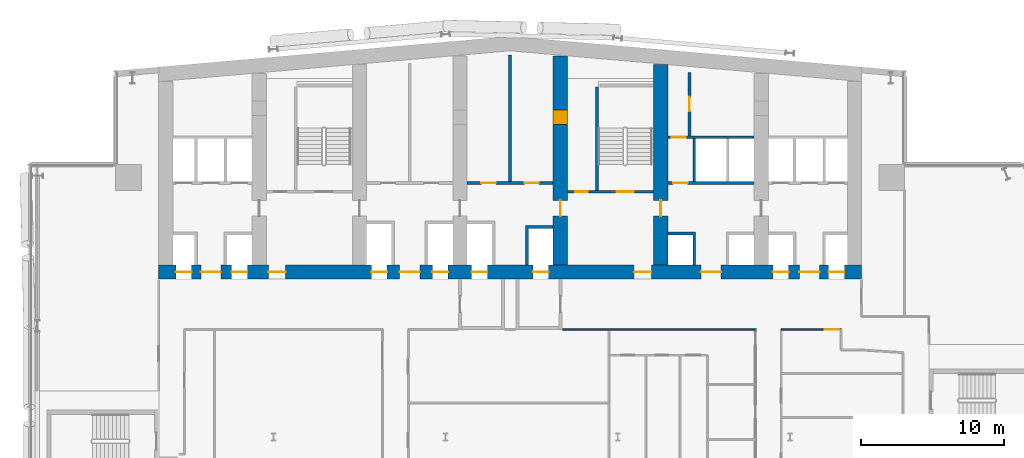
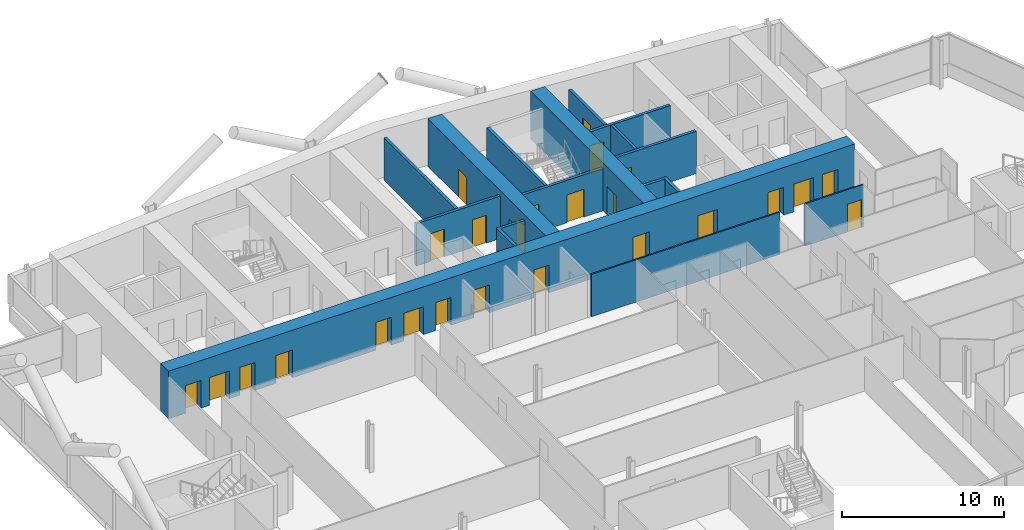
# One storey, part 17 of 26: 25 doors, 15 walls, 25 openings.
"""IFC4 building model written with IfcOpenShell, lengths in metres."""

from ifc_helpers import new_model, si_unit, direction, frame, frame_2d, origin, place, context, subcontext, project, spatial, polyline, rectangle, outline, extrude, material, layer, layer_set, type_object, element, fill, save


model = new_model("IFC4")

# Units and contexts
model_context = context("Model", 3, precision=1e-05, world=origin(), true_north=direction((0.0, 1.0)))
body_context = subcontext(model_context, "Body", "Model", "MODEL_VIEW")
ifc_project = project(units=[si_unit("LENGTHUNIT", "METRE"), si_unit("AREAUNIT", "SQUARE_METRE"), si_unit("VOLUMEUNIT", "CUBIC_METRE"), si_unit("PLANEANGLEUNIT", "RADIAN"), si_unit("MASSUNIT", "GRAM", prefix="KILO")], contexts=[model_context])

# Site, building, storey
site_placement = place(None, origin())
site = spatial("IfcSite", under=ifc_project, at=site_placement, CompositionType="ELEMENT")
building_placement = place(site_placement, origin())
building = spatial("IfcBuilding", under=site, at=building_placement, Name="Wharfspan Tower", CompositionType="ELEMENT")
storey_placement = place(building_placement, frame((0.0, 0.0, 114.699951)))
storey = spatial("IfcBuildingStorey", under=building, at=storey_placement, Name="L26", CompositionType="ELEMENT", Elevation=114.699951)

# Wall, opening, door
ifc_material_1 = material(Name="Gypsum board on steel studs", Category="steel")
ifc_layer_1 = layer(ifc_material_1, 0.100098)
ifc_layer_set_1 = layer_set([ifc_layer_1], Name="Gypsum board on steel studs")
wall_type_1 = type_object("IfcWallType", Name="Compartment wall 100 EI 60", PredefinedType="PARTITIONING", material=ifc_layer_set_1)
wall_1_placement = place(storey_placement, frame((59.399902, 30.5, 0.0), z_axis=(0.0, 0.0, 1.0), x_axis=(1.0, 0.0, 0.0)))
wall_1 = element("IfcWall", 1, at=wall_1_placement, inside=storey, type_object=wall_type_1, Name="Partition L26.w041", PredefinedType="PARTITIONING", context=body_context, shape_type="SweptSolid", body=[
    extrude(rectangle(XDim=4.175049, YDim=0.100098, at=frame_2d((2.087402, 0.0))), origin(), (0.0, 0.0, 1.0), 3.199951),
])
opening_1_placement = place(wall_1_placement, frame((3.024902, 0.0, 0.0)))
opening_1 = element("IfcOpeningElement", 2, at=opening_1_placement, cuts=wall_1, Name="Opening B3-25", PredefinedType="OPENING", context=body_context, shape_type="SweptSolid", body=[
    extrude(rectangle(XDim=1.0, YDim=2.100098, at=frame_2d((0.5, 1.050049))), frame((0.0, 0.060059, 0.0), z_axis=(0.0, -1.0, 0.0), x_axis=(1.0, 0.0, 0.0)), (0.0, 0.0, 1.0), 0.120117),
])
ifc_material_2 = material(Name="Fire-rated timber door leaf in steel frame", Category="steel")
door_type_1 = type_object("IfcDoorType", Name="Door 1000 FD30S Right", OperationType="SINGLE_SWING_RIGHT", PredefinedType="DOOR", material=ifc_material_2)
door_1_placement = place(opening_1_placement, origin())
door_1 = element("IfcDoor", 3, at=door_1_placement, inside=storey, type_object=door_type_1, Name="Door B3-25", OperationType="SINGLE_SWING_RIGHT", OverallHeight=2.100098, OverallWidth=1.0, PredefinedType="DOOR", context=body_context, shape_type="SweptSolid", body=[
    extrude(rectangle(XDim=1.0, YDim=2.100098, at=frame_2d((0.5, 1.050049))), frame((0.0, 0.024902, 0.0), z_axis=(0.0, -1.0, 0.0), x_axis=(1.0, 0.0, 0.0)), (0.0, 0.0, 1.0), 0.050049),
])
fill(opening_1, door_1)

# Walls
wall_2_placement = place(storey_placement, frame((44.149902, 30.5, 0.0), z_axis=(0.0, 0.0, 1.0), x_axis=(1.0, 0.0, 0.0)))
element("IfcWall", 4, at=wall_2_placement, inside=storey, type_object=wall_type_1, Name="Partition L26.w020 (3)", PredefinedType="PARTITIONING", context=body_context, shape_type="SweptSolid", body=[
    extrude(rectangle(XDim=13.450195, YDim=0.100098, at=frame_2d((6.725098, 0.0))), origin(), (0.0, 0.0, 1.0), 3.199951),
])
ifc_material_3 = material(Name="Calcium silicate masonry", Category="masonry")
ifc_layer_2 = layer(ifc_material_3, 0.199951)
ifc_layer_set_2 = layer_set([ifc_layer_2], Name="Calcium silicate masonry")
wall_type_2 = type_object("IfcWallType", Name="Core room wall 200", PredefinedType="PARTITIONING", material=ifc_layer_set_2)
wall_3_placement = place(storey_placement, frame((40.5, 40.800049, 0.0), z_axis=(0.0, 0.0, 1.0), x_axis=(0.0, 1.0, 0.0)))
element("IfcWall", 5, at=wall_3_placement, inside=storey, type_object=wall_type_2, Name="sw:L26:RP4.1", PredefinedType="PARTITIONING", context=body_context, shape_type="SweptSolid", body=[
    extrude(rectangle(XDim=8.844482, YDim=0.199951, at=frame_2d((4.422363, 0.0))), origin(), (0.0, 0.0, 1.0), 3.199951),
])

# Wall, opening, door
wall_4_placement = place(storey_placement, frame((53.0, 44.0, 0.0), z_axis=(0.0, 0.0, 1.0), x_axis=(0.0, 1.0, 0.0)))
wall_4 = element("IfcWall", 6, at=wall_4_placement, inside=storey, type_object=wall_type_2, Name="sw:L26:RP6.1", PredefinedType="PARTITIONING", context=body_context, shape_type="SweptSolid", body=[
    extrude(rectangle(XDim=4.419678, YDim=0.199951, at=frame_2d((2.209961, 0.0))), origin(), (0.0, 0.0, 1.0), 3.199951),
])
opening_2_placement = place(wall_4_placement, frame((1.709961, 0.0, 0.0)))
opening_2 = element("IfcOpeningElement", 7, at=opening_2_placement, cuts=wall_4, Name="Opening CD26.6P1", PredefinedType="OPENING", context=body_context, shape_type="SweptSolid", body=[
    extrude(rectangle(XDim=1.0, YDim=2.100098, at=frame_2d((0.5, 1.050049))), frame((0.0, 0.109863, 0.0), z_axis=(0.0, -1.0, 0.0), x_axis=(1.0, 0.0, 0.0)), (0.0, 0.0, 1.0), 0.219971),
])
ifc_material_4 = material(Name="Steel door leaf", Category="steel")
door_type_2 = type_object("IfcDoorType", Name="Core room door 1000x2100", OperationType="SINGLE_SWING_LEFT", PredefinedType="DOOR", material=ifc_material_4)
door_2_placement = place(opening_2_placement, origin())
door_2 = element("IfcDoor", 8, at=door_2_placement, inside=storey, type_object=door_type_2, Name="d:L26:6:rp1", OperationType="SINGLE_SWING_LEFT", OverallHeight=2.100098, OverallWidth=1.0, PredefinedType="DOOR", context=body_context, shape_type="SweptSolid", body=[
    extrude(rectangle(XDim=1.0, YDim=2.100098, at=frame_2d((0.5, 1.050049))), frame((0.0, 0.024902, 0.0), z_axis=(0.0, -1.0, 0.0), x_axis=(1.0, 0.0, 0.0)), (0.0, 0.0, 1.0), 0.050049),
])
fill(opening_2, door_2)

# Wall, openings, doors
ifc_material_5 = material(Name="Concrete C70/85", Category="concrete")
ifc_layer_3 = layer(ifc_material_5, 1.0)
ifc_layer_set_3 = layer_set([ifc_layer_3], Name="Concrete C70/85")
wall_type_3 = type_object("IfcWallType", Name="Core wall 1000 C70/85", PredefinedType="SHEAR", material=ifc_layer_set_3)
wall_5_placement = place(storey_placement, frame((16.0, 34.5, 0.0), z_axis=(0.0, 0.0, 1.0), x_axis=(1.0, 0.0, 0.0)))
wall_5 = element("IfcWall", 9, at=wall_5_placement, inside=storey, type_object=wall_type_3, Name="Core front wall L26", PredefinedType="SHEAR", context=body_context, shape_type="SweptSolid", body=[
    extrude(rectangle(XDim=49.0, YDim=1.0, at=frame_2d((24.5, 0.0))), origin(), (0.0, 0.0, 1.0), 3.600098),
])
opening_3_placement = place(wall_5_placement, frame((1.199951, 0.0, 0.0)))
opening_3 = element("IfcOpeningElement", 10, at=opening_3_placement, cuts=wall_5, Name="Opening LD.LA1.L26", PredefinedType="OPENING", context=body_context, shape_type="SweptSolid", body=[
    extrude(rectangle(XDim=1.100098, YDim=2.100098, at=frame_2d((0.550049, 1.050049))), frame((0.0, 0.51001, 0.0), z_axis=(0.0, -1.0, 0.0), x_axis=(1.0, 0.0, 0.0)), (0.0, 0.0, 1.0), 1.02002),
])
opening_4_placement = place(wall_5_placement, frame((5.083252, 0.0, 0.0)))
opening_4 = element("IfcOpeningElement", 11, at=opening_4_placement, cuts=wall_5, Name="Opening LD.LA2.L26", PredefinedType="OPENING", context=body_context, shape_type="SweptSolid", body=[
    extrude(rectangle(XDim=1.100098, YDim=2.100098, at=frame_2d((0.550049, 1.050049))), frame((0.0, 0.51001, 0.0), z_axis=(0.0, -1.0, 0.0), x_axis=(1.0, 0.0, 0.0)), (0.0, 0.0, 1.0), 1.02002),
])
opening_5_placement = place(wall_5_placement, frame((2.93335, 0.0, 0.0)))
opening_5 = element("IfcOpeningElement", 12, at=opening_5_placement, cuts=wall_5, Name="Opening HD26.1", PredefinedType="OPENING", context=body_context, shape_type="SweptSolid", body=[
    extrude(rectangle(XDim=1.399902, YDim=2.100098, at=frame_2d((0.699951, 1.050049))), frame((0.0, 0.51001, 0.0), z_axis=(0.0, -1.0, 0.0), x_axis=(1.0, 0.0, 0.0)), (0.0, 0.0, 1.0), 1.02002),
])
opening_6_placement = place(wall_5_placement, frame((7.649902, 0.0, 0.0)))
opening_6 = element("IfcOpeningElement", 13, at=opening_6_placement, cuts=wall_5, Name="Opening SV2.L26", PredefinedType="OPENING", context=body_context, shape_type="SweptSolid", body=[
    extrude(rectangle(XDim=1.199951, YDim=2.100098, at=frame_2d((0.600098, 1.050049))), frame((0.0, 0.51001, 0.0), z_axis=(0.0, -1.0, 0.0), x_axis=(1.0, 0.0, 0.0)), (0.0, 0.0, 1.0), 1.02002),
])
opening_7_placement = place(wall_5_placement, frame((14.81665, 0.0, 0.0)))
opening_7 = element("IfcOpeningElement", 14, at=opening_7_placement, cuts=wall_5, Name="Opening LD.SL1.L26", PredefinedType="OPENING", context=body_context, shape_type="SweptSolid", body=[
    extrude(rectangle(XDim=1.100098, YDim=2.100098, at=frame_2d((0.550049, 1.050049))), frame((0.0, 0.51001, 0.0), z_axis=(0.0, -1.0, 0.0), x_axis=(1.0, 0.0, 0.0)), (0.0, 0.0, 1.0), 1.02002),
])
opening_8_placement = place(wall_5_placement, frame((19.083252, 0.0, 0.0)))
opening_8 = element("IfcOpeningElement", 15, at=opening_8_placement, cuts=wall_5, Name="Opening LD.SL2.L26", PredefinedType="OPENING", context=body_context, shape_type="SweptSolid", body=[
    extrude(rectangle(XDim=1.100098, YDim=2.100098, at=frame_2d((0.550049, 1.050049))), frame((0.0, 0.51001, 0.0), z_axis=(0.0, -1.0, 0.0), x_axis=(1.0, 0.0, 0.0)), (0.0, 0.0, 1.0), 1.02002),
])
opening_9_placement = place(wall_5_placement, frame((16.800049, 0.0, 0.0)))
opening_9 = element("IfcOpeningElement", 16, at=opening_9_placement, cuts=wall_5, Name="Opening HD26.3", PredefinedType="OPENING", context=body_context, shape_type="SweptSolid", body=[
    extrude(rectangle(XDim=1.399902, YDim=2.100098, at=frame_2d((0.699951, 1.050049))), frame((0.0, 0.51001, 0.0), z_axis=(0.0, -1.0, 0.0), x_axis=(1.0, 0.0, 0.0)), (0.0, 0.0, 1.0), 1.02002),
])
opening_10_placement = place(wall_5_placement, frame((21.81665, 0.0, 0.0)))
opening_10 = element("IfcOpeningElement", 17, at=opening_10_placement, cuts=wall_5, Name="Opening LD.FF1.L26", PredefinedType="OPENING", context=body_context, shape_type="SweptSolid", body=[
    extrude(rectangle(XDim=1.100098, YDim=2.100098, at=frame_2d((0.550049, 1.050049))), frame((0.0, 0.51001, 0.0), z_axis=(0.0, -1.0, 0.0), x_axis=(1.0, 0.0, 0.0)), (0.0, 0.0, 1.0), 1.02002),
])
opening_11_placement = place(wall_5_placement, frame((26.083252, 0.0, 0.0)))
opening_11 = element("IfcOpeningElement", 18, at=opening_11_placement, cuts=wall_5, Name="Opening LD.FF2.L26", PredefinedType="OPENING", context=body_context, shape_type="SweptSolid", body=[
    extrude(rectangle(XDim=1.100098, YDim=2.100098, at=frame_2d((0.550049, 1.050049))), frame((0.0, 0.51001, 0.0), z_axis=(0.0, -1.0, 0.0), x_axis=(1.0, 0.0, 0.0)), (0.0, 0.0, 1.0), 1.02002),
])
opening_12_placement = place(wall_5_placement, frame((33.149902, 0.0, 0.0)))
opening_12 = element("IfcOpeningElement", 19, at=opening_12_placement, cuts=wall_5, Name="Opening SV5.L26", PredefinedType="OPENING", context=body_context, shape_type="SweptSolid", body=[
    extrude(rectangle(XDim=1.199951, YDim=2.100098, at=frame_2d((0.600098, 1.050049))), frame((0.0, 0.51001, 0.0), z_axis=(0.0, -1.0, 0.0), x_axis=(1.0, 0.0, 0.0)), (0.0, 0.0, 1.0), 1.02002),
])
opening_13_placement = place(wall_5_placement, frame((37.800049, 0.0, 0.0)))
opening_13 = element("IfcOpeningElement", 20, at=opening_13_placement, cuts=wall_5, Name="Opening HD26.6", PredefinedType="OPENING", context=body_context, shape_type="SweptSolid", body=[
    extrude(rectangle(XDim=1.399902, YDim=2.100098, at=frame_2d((0.699951, 1.050049))), frame((0.0, 0.51001, 0.0), z_axis=(0.0, -1.0, 0.0), x_axis=(1.0, 0.0, 0.0)), (0.0, 0.0, 1.0), 1.02002),
])
opening_14_placement = place(wall_5_placement, frame((42.81665, 0.0, 0.0)))
opening_14 = element("IfcOpeningElement", 21, at=opening_14_placement, cuts=wall_5, Name="Opening LD.LA6.L26", PredefinedType="OPENING", context=body_context, shape_type="SweptSolid", body=[
    extrude(rectangle(XDim=1.100098, YDim=2.100098, at=frame_2d((0.550049, 1.050049))), frame((0.0, 0.51001, 0.0), z_axis=(0.0, -1.0, 0.0), x_axis=(1.0, 0.0, 0.0)), (0.0, 0.0, 1.0), 1.02002),
])
opening_15_placement = place(wall_5_placement, frame((46.699951, 0.0, 0.0)))
opening_15 = element("IfcOpeningElement", 22, at=opening_15_placement, cuts=wall_5, Name="Opening LD.LA7.L26", PredefinedType="OPENING", context=body_context, shape_type="SweptSolid", body=[
    extrude(rectangle(XDim=1.100098, YDim=2.100098, at=frame_2d((0.550049, 1.050049))), frame((0.0, 0.51001, 0.0), z_axis=(0.0, -1.0, 0.0), x_axis=(1.0, 0.0, 0.0)), (0.0, 0.0, 1.0), 1.02002),
])
opening_16_placement = place(wall_5_placement, frame((44.666748, 0.0, 0.0)))
opening_16 = element("IfcOpeningElement", 23, at=opening_16_placement, cuts=wall_5, Name="Opening HD26.7", PredefinedType="OPENING", context=body_context, shape_type="SweptSolid", body=[
    extrude(rectangle(XDim=1.399902, YDim=2.100098, at=frame_2d((0.699951, 1.050049))), frame((0.0, 0.51001, 0.0), z_axis=(0.0, -1.0, 0.0), x_axis=(1.0, 0.0, 0.0)), (0.0, 0.0, 1.0), 1.02002),
])
door_type_3 = type_object("IfcDoorType", Name="Hall entry door 1400x2100", OperationType="DOUBLE_DOOR_SINGLE_SWING", PredefinedType="DOOR", material=ifc_material_4)
door_3_placement = place(opening_5_placement, origin())
door_3 = element("IfcDoor", 24, at=door_3_placement, inside=storey, type_object=door_type_3, Name="d:L26:1:hd1", OperationType="DOUBLE_DOOR_SINGLE_SWING", OverallHeight=2.100098, OverallWidth=1.399902, PredefinedType="DOOR", context=body_context, shape_type="SweptSolid", body=[
    extrude(rectangle(XDim=1.399902, YDim=2.100098, at=frame_2d((0.699951, 1.050049))), frame((0.0, 0.024902, 0.0), z_axis=(0.0, -1.0, 0.0), x_axis=(1.0, 0.0, 0.0)), (0.0, 0.0, 1.0), 0.050049),
])
fill(opening_5, door_3)
door_4_placement = place(opening_9_placement, origin())
door_4 = element("IfcDoor", 25, at=door_4_placement, inside=storey, type_object=door_type_3, Name="d:L26:3:hd3", OperationType="DOUBLE_DOOR_SINGLE_SWING", OverallHeight=2.100098, OverallWidth=1.399902, PredefinedType="DOOR", context=body_context, shape_type="SweptSolid", body=[
    extrude(rectangle(XDim=1.399902, YDim=2.100098, at=frame_2d((0.699951, 1.050049))), frame((0.0, 0.024902, 0.0), z_axis=(0.0, -1.0, 0.0), x_axis=(1.0, 0.0, 0.0)), (0.0, 0.0, 1.0), 0.050049),
])
fill(opening_9, door_4)
door_5_placement = place(opening_13_placement, origin())
door_5 = element("IfcDoor", 26, at=door_5_placement, inside=storey, type_object=door_type_3, Name="d:L26:6:hd6", OperationType="DOUBLE_DOOR_SINGLE_SWING", OverallHeight=2.100098, OverallWidth=1.399902, PredefinedType="DOOR", context=body_context, shape_type="SweptSolid", body=[
    extrude(rectangle(XDim=1.399902, YDim=2.100098, at=frame_2d((0.699951, 1.050049))), frame((0.0, 0.024902, 0.0), z_axis=(0.0, -1.0, 0.0), x_axis=(1.0, 0.0, 0.0)), (0.0, 0.0, 1.0), 0.050049),
])
fill(opening_13, door_5)
door_6_placement = place(opening_16_placement, origin())
door_6 = element("IfcDoor", 27, at=door_6_placement, inside=storey, type_object=door_type_3, Name="d:L26:7:hd7", OperationType="DOUBLE_DOOR_SINGLE_SWING", OverallHeight=2.100098, OverallWidth=1.399902, PredefinedType="DOOR", context=body_context, shape_type="SweptSolid", body=[
    extrude(rectangle(XDim=1.399902, YDim=2.100098, at=frame_2d((0.699951, 1.050049))), frame((0.0, 0.024902, 0.0), z_axis=(0.0, -1.0, 0.0), x_axis=(1.0, 0.0, 0.0)), (0.0, 0.0, 1.0), 0.050049),
])
fill(opening_16, door_6)
ifc_material_6 = material(Name="Stainless steel", Category="steel")
door_type_4 = type_object("IfcDoorType", Name="Lift landing door 1100x2100", OperationType="DOUBLE_DOOR_SLIDING", PredefinedType="DOOR", material=ifc_material_6)
door_7_placement = place(opening_3_placement, origin())
door_7 = element("IfcDoor", 28, at=door_7_placement, inside=storey, type_object=door_type_4, Name="Landing door LA1 L26", OperationType="DOUBLE_DOOR_SLIDING", OverallHeight=2.100098, OverallWidth=1.100098, PredefinedType="DOOR", context=body_context, shape_type="SweptSolid", body=[
    extrude(rectangle(XDim=1.100098, YDim=2.100098, at=frame_2d((0.550049, 1.050049))), frame((0.0, 0.024902, 0.0), z_axis=(0.0, -1.0, 0.0), x_axis=(1.0, 0.0, 0.0)), (0.0, 0.0, 1.0), 0.050049),
])
fill(opening_3, door_7)
door_8_placement = place(opening_4_placement, origin())
door_8 = element("IfcDoor", 29, at=door_8_placement, inside=storey, type_object=door_type_4, Name="Landing door LA2 L26", OperationType="DOUBLE_DOOR_SLIDING", OverallHeight=2.100098, OverallWidth=1.100098, PredefinedType="DOOR", context=body_context, shape_type="SweptSolid", body=[
    extrude(rectangle(XDim=1.100098, YDim=2.100098, at=frame_2d((0.550049, 1.050049))), frame((0.0, 0.024902, 0.0), z_axis=(0.0, -1.0, 0.0), x_axis=(1.0, 0.0, 0.0)), (0.0, 0.0, 1.0), 0.050049),
])
fill(opening_4, door_8)
door_9_placement = place(opening_7_placement, origin())
door_9 = element("IfcDoor", 30, at=door_9_placement, inside=storey, type_object=door_type_4, Name="Landing door SL1 L26", OperationType="DOUBLE_DOOR_SLIDING", OverallHeight=2.100098, OverallWidth=1.100098, PredefinedType="DOOR", context=body_context, shape_type="SweptSolid", body=[
    extrude(rectangle(XDim=1.100098, YDim=2.100098, at=frame_2d((0.550049, 1.050049))), frame((0.0, 0.024902, 0.0), z_axis=(0.0, -1.0, 0.0), x_axis=(1.0, 0.0, 0.0)), (0.0, 0.0, 1.0), 0.050049),
])
fill(opening_7, door_9)
door_10_placement = place(opening_8_placement, origin())
door_10 = element("IfcDoor", 31, at=door_10_placement, inside=storey, type_object=door_type_4, Name="Landing door SL2 L26", OperationType="DOUBLE_DOOR_SLIDING", OverallHeight=2.100098, OverallWidth=1.100098, PredefinedType="DOOR", context=body_context, shape_type="SweptSolid", body=[
    extrude(rectangle(XDim=1.100098, YDim=2.100098, at=frame_2d((0.550049, 1.050049))), frame((0.0, 0.024902, 0.0), z_axis=(0.0, -1.0, 0.0), x_axis=(1.0, 0.0, 0.0)), (0.0, 0.0, 1.0), 0.050049),
])
fill(opening_8, door_10)
door_11_placement = place(opening_10_placement, origin())
door_11 = element("IfcDoor", 32, at=door_11_placement, inside=storey, type_object=door_type_4, Name="Landing door FF1 L26", OperationType="DOUBLE_DOOR_SLIDING", OverallHeight=2.100098, OverallWidth=1.100098, PredefinedType="DOOR", context=body_context, shape_type="SweptSolid", body=[
    extrude(rectangle(XDim=1.100098, YDim=2.100098, at=frame_2d((0.550049, 1.050049))), frame((0.0, 0.024902, 0.0), z_axis=(0.0, -1.0, 0.0), x_axis=(1.0, 0.0, 0.0)), (0.0, 0.0, 1.0), 0.050049),
])
fill(opening_10, door_11)
door_12_placement = place(opening_11_placement, origin())
door_12 = element("IfcDoor", 33, at=door_12_placement, inside=storey, type_object=door_type_4, Name="Landing door FF2 L26", OperationType="DOUBLE_DOOR_SLIDING", OverallHeight=2.100098, OverallWidth=1.100098, PredefinedType="DOOR", context=body_context, shape_type="SweptSolid", body=[
    extrude(rectangle(XDim=1.100098, YDim=2.100098, at=frame_2d((0.550049, 1.050049))), frame((0.0, 0.024902, 0.0), z_axis=(0.0, -1.0, 0.0), x_axis=(1.0, 0.0, 0.0)), (0.0, 0.0, 1.0), 0.050049),
])
fill(opening_11, door_12)
door_13_placement = place(opening_14_placement, origin())
door_13 = element("IfcDoor", 34, at=door_13_placement, inside=storey, type_object=door_type_4, Name="Landing door LA6 L26", OperationType="DOUBLE_DOOR_SLIDING", OverallHeight=2.100098, OverallWidth=1.100098, PredefinedType="DOOR", context=body_context, shape_type="SweptSolid", body=[
    extrude(rectangle(XDim=1.100098, YDim=2.100098, at=frame_2d((0.550049, 1.050049))), frame((0.0, 0.024902, 0.0), z_axis=(0.0, -1.0, 0.0), x_axis=(1.0, 0.0, 0.0)), (0.0, 0.0, 1.0), 0.050049),
])
fill(opening_14, door_13)
door_14_placement = place(opening_15_placement, origin())
door_14 = element("IfcDoor", 35, at=door_14_placement, inside=storey, type_object=door_type_4, Name="Landing door LA7 L26", OperationType="DOUBLE_DOOR_SLIDING", OverallHeight=2.100098, OverallWidth=1.100098, PredefinedType="DOOR", context=body_context, shape_type="SweptSolid", body=[
    extrude(rectangle(XDim=1.100098, YDim=2.100098, at=frame_2d((0.550049, 1.050049))), frame((0.0, 0.024902, 0.0), z_axis=(0.0, -1.0, 0.0), x_axis=(1.0, 0.0, 0.0)), (0.0, 0.0, 1.0), 0.050049),
])
fill(opening_15, door_14)
door_type_5 = type_object("IfcDoorType", Name="Stair door 1200x2100", OperationType="SINGLE_SWING_LEFT", PredefinedType="DOOR", material=ifc_material_4)
door_15_placement = place(opening_6_placement, origin())
door_15 = element("IfcDoor", 36, at=door_15_placement, inside=storey, type_object=door_type_5, Name="vd:L26:2", OperationType="SINGLE_SWING_LEFT", OverallHeight=2.100098, OverallWidth=1.199951, PredefinedType="DOOR", context=body_context, shape_type="SweptSolid", body=[
    extrude(rectangle(XDim=1.199951, YDim=2.100098, at=frame_2d((0.600098, 1.050049))), frame((0.0, 0.024902, 0.0), z_axis=(0.0, -1.0, 0.0), x_axis=(1.0, 0.0, 0.0)), (0.0, 0.0, 1.0), 0.050049),
])
fill(opening_6, door_15)
door_16_placement = place(opening_12_placement, origin())
door_16 = element("IfcDoor", 37, at=door_16_placement, inside=storey, type_object=door_type_5, Name="vd:L26:5", OperationType="SINGLE_SWING_LEFT", OverallHeight=2.100098, OverallWidth=1.199951, PredefinedType="DOOR", context=body_context, shape_type="SweptSolid", body=[
    extrude(rectangle(XDim=1.199951, YDim=2.100098, at=frame_2d((0.600098, 1.050049))), frame((0.0, 0.024902, 0.0), z_axis=(0.0, -1.0, 0.0), x_axis=(1.0, 0.0, 0.0)), (0.0, 0.0, 1.0), 0.050049),
])
fill(opening_12, door_16)

wall_6_placement = place(storey_placement, frame((44.0, 35.0, 0.0), z_axis=(0.0, 0.0, 1.0), x_axis=(0.0, 1.0, 0.0)))
wall_6 = element("IfcWall", 38, at=wall_6_placement, inside=storey, type_object=wall_type_3, Name="Core cross wall X5 L26", PredefinedType="SHEAR", context=body_context, shape_type="SweptSolid", body=[
    extrude(rectangle(XDim=14.577148, YDim=1.0, at=frame_2d((7.288574, 0.0))), origin(), (0.0, 0.0, 1.0), 3.600098),
])
opening_17_placement = place(wall_6_placement, frame((3.399902, 0.0, 0.0)))
opening_17 = element("IfcOpeningElement", 39, at=opening_17_placement, cuts=wall_6, Name="Opening CC26.5", PredefinedType="OPENING", context=body_context, shape_type="SweptSolid", body=[
    extrude(rectangle(XDim=1.100098, YDim=2.100098, at=frame_2d((0.550049, 1.050049))), frame((0.0, 0.51001, 0.0), z_axis=(0.0, -1.0, 0.0), x_axis=(1.0, 0.0, 0.0)), (0.0, 0.0, 1.0), 1.02002),
])
opening_18_placement = place(wall_6_placement, frame((9.800049, 0.0, 0.0)))
opening_18 = element("IfcOpeningElement", 40, at=opening_18_placement, cuts=wall_6, Name="Opening CR26.5", PredefinedType="OPENING", context=body_context, shape_type="SweptSolid", body=[
    extrude(rectangle(XDim=1.0, YDim=2.100098, at=frame_2d((0.5, 1.050049))), frame((0.0, 0.51001, 0.0), z_axis=(0.0, -1.0, 0.0), x_axis=(1.0, 0.0, 0.0)), (0.0, 0.0, 1.0), 1.02002),
])
door_type_6 = type_object("IfcDoorType", Name="Core corridor door 1100x2100", OperationType="SINGLE_SWING_LEFT", PredefinedType="DOOR", material=ifc_material_4)
door_17_placement = place(opening_17_placement, origin())
door_17 = element("IfcDoor", 41, at=door_17_placement, inside=storey, type_object=door_type_6, Name="xd:L26:5", OperationType="SINGLE_SWING_LEFT", OverallHeight=2.100098, OverallWidth=1.100098, PredefinedType="DOOR", context=body_context, shape_type="SweptSolid", body=[
    extrude(rectangle(XDim=1.100098, YDim=2.100098, at=frame_2d((0.550049, 1.050049))), frame((0.0, 0.024902, 0.0), z_axis=(0.0, -1.0, 0.0), x_axis=(1.0, 0.0, 0.0)), (0.0, 0.0, 1.0), 0.050049),
])
fill(opening_17, door_17)
door_18_placement = place(opening_18_placement, origin())
door_18 = element("IfcDoor", 42, at=door_18_placement, inside=storey, type_object=door_type_2, Name="xr:L26:5", OperationType="SINGLE_SWING_RIGHT", OverallHeight=2.100098, OverallWidth=1.0, PredefinedType="DOOR", context=body_context, shape_type="SweptSolid", body=[
    extrude(rectangle(XDim=1.0, YDim=2.100098, at=frame_2d((0.5, 1.050049))), frame((0.0, 0.499756, 0.0), z_axis=(0.0, -1.0, 0.0), x_axis=(1.0, 0.0, 0.0)), (0.0, 0.0, 1.0), 0.999512),
])
fill(opening_18, door_18)

# Wall, opening, door
wall_7_placement = place(storey_placement, frame((51.0, 35.0, 0.0), z_axis=(0.0, 0.0, 1.0), x_axis=(0.0, 1.0, 0.0)))
wall_7 = element("IfcWall", 43, at=wall_7_placement, inside=storey, type_object=wall_type_3, Name="Core cross wall X6 L26", PredefinedType="SHEAR", context=body_context, shape_type="SweptSolid", body=[
    extrude(rectangle(XDim=13.9646, YDim=1.0, at=frame_2d((6.982422, 0.0))), origin(), (0.0, 0.0, 1.0), 3.600098),
])
opening_19_placement = place(wall_7_placement, frame((3.399902, 0.0, 0.0)))
opening_19 = element("IfcOpeningElement", 44, at=opening_19_placement, cuts=wall_7, Name="Opening CC26.6", PredefinedType="OPENING", context=body_context, shape_type="SweptSolid", body=[
    extrude(rectangle(XDim=1.100098, YDim=2.100098, at=frame_2d((0.550049, 1.050049))), frame((0.0, 0.51001, 0.0), z_axis=(0.0, -1.0, 0.0), x_axis=(1.0, 0.0, 0.0)), (0.0, 0.0, 1.0), 1.02002),
])
door_19_placement = place(opening_19_placement, origin())
door_19 = element("IfcDoor", 45, at=door_19_placement, inside=storey, type_object=door_type_6, Name="xd:L26:6", OperationType="SINGLE_SWING_RIGHT", OverallHeight=2.100098, OverallWidth=1.100098, PredefinedType="DOOR", context=body_context, shape_type="SweptSolid", body=[
    extrude(rectangle(XDim=1.100098, YDim=2.100098, at=frame_2d((0.550049, 1.050049))), frame((0.0, 0.024902, 0.0), z_axis=(0.0, -1.0, 0.0), x_axis=(1.0, 0.0, 0.0)), (0.0, 0.0, 1.0), 0.050049),
])
fill(opening_19, door_19)

# Wall, openings, doors
ifc_material_7 = material(Name="Concrete C30/37", Category="concrete")
ifc_layer_4 = layer(ifc_material_7, 0.199951)
ifc_layer_set_4 = layer_set([ifc_layer_4], Name="Concrete C30/37")
wall_type_4 = type_object("IfcWallType", Name="Lift shaft wall 200", PredefinedType="PARTITIONING", material=ifc_layer_set_4)
wall_8_placement = place(storey_placement, frame((37.5, 40.699951, 0.0), z_axis=(0.0, 0.0, 1.0), x_axis=(1.0, 0.0, 0.0)))
wall_8 = element("IfcWall", 46, at=wall_8_placement, inside=storey, type_object=wall_type_4, Name="sw:L26:RF4", PredefinedType="PARTITIONING", context=body_context, shape_type="SweptSolid", body=[
    extrude(rectangle(XDim=6.0, YDim=0.199951, at=frame_2d((3.0, 0.0))), origin(), (0.0, 0.0, 1.0), 3.199951),
])
opening_20_placement = place(wall_8_placement, frame((1.0, 0.0, 0.0)))
opening_20 = element("IfcOpeningElement", 47, at=opening_20_placement, cuts=wall_8, Name="Opening CD26.4S", PredefinedType="OPENING", context=body_context, shape_type="SweptSolid", body=[
    extrude(rectangle(XDim=1.0, YDim=2.100098, at=frame_2d((0.5, 1.050049))), frame((0.0, 0.109863, 0.0), z_axis=(0.0, -1.0, 0.0), x_axis=(1.0, 0.0, 0.0)), (0.0, 0.0, 1.0), 0.219971),
])
opening_21_placement = place(wall_8_placement, frame((4.0, 0.0, 0.0)))
opening_21 = element("IfcOpeningElement", 48, at=opening_21_placement, cuts=wall_8, Name="Opening CD26.4Sa", PredefinedType="OPENING", context=body_context, shape_type="SweptSolid", body=[
    extrude(rectangle(XDim=1.0, YDim=2.100098, at=frame_2d((0.5, 1.050049))), frame((0.0, 0.109863, 0.0), z_axis=(0.0, -1.0, 0.0), x_axis=(1.0, 0.0, 0.0)), (0.0, 0.0, 1.0), 0.219971),
])
door_20_placement = place(opening_20_placement, origin())
door_20 = element("IfcDoor", 49, at=door_20_placement, inside=storey, type_object=door_type_2, Name="d:L26:4:sf", OperationType="SINGLE_SWING_LEFT", OverallHeight=2.100098, OverallWidth=1.0, PredefinedType="DOOR", context=body_context, shape_type="SweptSolid", body=[
    extrude(rectangle(XDim=1.0, YDim=2.100098, at=frame_2d((0.5, 1.050049))), frame((0.0, 0.024902, 0.0), z_axis=(0.0, -1.0, 0.0), x_axis=(1.0, 0.0, 0.0)), (0.0, 0.0, 1.0), 0.050049),
])
fill(opening_20, door_20)
door_21_placement = place(opening_21_placement, origin())
door_21 = element("IfcDoor", 50, at=door_21_placement, inside=storey, type_object=door_type_2, Name="d:L26:4:sf1", OperationType="SINGLE_SWING_LEFT", OverallHeight=2.100098, OverallWidth=1.0, PredefinedType="DOOR", context=body_context, shape_type="SweptSolid", body=[
    extrude(rectangle(XDim=1.0, YDim=2.100098, at=frame_2d((0.5, 1.050049))), frame((0.0, 0.024902, 0.0), z_axis=(0.0, -1.0, 0.0), x_axis=(1.0, 0.0, 0.0)), (0.0, 0.0, 1.0), 0.050049),
])
fill(opening_21, door_21)

# Wall
wall_9_placement = place(storey_placement, frame((0.0, 0.0, -0.000244)))
element("IfcWall", 51, at=wall_9_placement, inside=storey, type_object=wall_type_4, Name="sw:L26:FM4.0", PredefinedType="PARTITIONING", context=body_context, shape_type="SweptSolid", body=[
    extrude(outline(polyline([(41.56665, 37.75), (41.766602, 37.75), (43.5, 37.75), (43.5, 37.550049), (41.766602, 37.550049), (41.766602, 35.0), (41.56665, 35.0), (41.56665, 37.75)])), origin(), (0.0, 0.0, 1.0), 3.200195),
])

# Wall, opening, door
wall_10_placement = place(storey_placement, frame((51.5, 40.699951, 0.0), z_axis=(0.0, 0.0, 1.0), x_axis=(1.0, 0.0, 0.0)))
wall_10 = element("IfcWall", 52, at=wall_10_placement, inside=storey, type_object=wall_type_4, Name="sw:L26:RF6", PredefinedType="PARTITIONING", context=body_context, shape_type="SweptSolid", body=[
    extrude(rectangle(XDim=6.0, YDim=0.199951, at=frame_2d((3.0, 0.0))), origin(), (0.0, 0.0, 1.0), 3.199951),
])
opening_22_placement = place(wall_10_placement, frame((0.366699, 0.0, 0.0)))
opening_22 = element("IfcOpeningElement", 53, at=opening_22_placement, cuts=wall_10, Name="Opening CD26.6R1", PredefinedType="OPENING", context=body_context, shape_type="SweptSolid", body=[
    extrude(rectangle(XDim=1.0, YDim=2.100098, at=frame_2d((0.5, 1.050049))), frame((0.0, 0.109863, 0.0), z_axis=(0.0, -1.0, 0.0), x_axis=(1.0, 0.0, 0.0)), (0.0, 0.0, 1.0), 0.219971),
])
door_22_placement = place(opening_22_placement, origin())
door_22 = element("IfcDoor", 54, at=door_22_placement, inside=storey, type_object=door_type_2, Name="d:L26:6:rd6.1", OperationType="SINGLE_SWING_RIGHT", OverallHeight=2.100098, OverallWidth=1.0, PredefinedType="DOOR", context=body_context, shape_type="SweptSolid", body=[
    extrude(rectangle(XDim=1.0, YDim=2.100098, at=frame_2d((0.5, 1.050049))), frame((0.0, 0.024902, 0.0), z_axis=(0.0, -1.0, 0.0), x_axis=(1.0, 0.0, 0.0)), (0.0, 0.0, 1.0), 0.050049),
])
fill(opening_22, door_22)

wall_11_placement = place(storey_placement, frame((51.5, 43.899902, 0.0), z_axis=(0.0, 0.0, 1.0), x_axis=(1.0, 0.0, 0.0)))
wall_11 = element("IfcWall", 55, at=wall_11_placement, inside=storey, type_object=wall_type_4, Name="sw:L26:RR6", PredefinedType="PARTITIONING", context=body_context, shape_type="SweptSolid", body=[
    extrude(rectangle(XDim=6.0, YDim=0.199951, at=frame_2d((3.0, 0.0))), origin(), (0.0, 0.0, 1.0), 3.199951),
])
opening_23_placement = place(wall_11_placement, frame((0.25, 0.0, 0.0)))
opening_23 = element("IfcOpeningElement", 56, at=opening_23_placement, cuts=wall_11, Name="Opening CD26.6S1", PredefinedType="OPENING", context=body_context, shape_type="SweptSolid", body=[
    extrude(rectangle(XDim=1.0, YDim=2.100098, at=frame_2d((0.5, 1.050049))), frame((0.0, 0.109863, 0.0), z_axis=(0.0, -1.0, 0.0), x_axis=(1.0, 0.0, 0.0)), (0.0, 0.0, 1.0), 0.219971),
])
door_23_placement = place(opening_23_placement, origin())
door_23 = element("IfcDoor", 57, at=door_23_placement, inside=storey, type_object=door_type_2, Name="d:L26:6:rs6.1", OperationType="SINGLE_SWING_LEFT", OverallHeight=2.100098, OverallWidth=1.0, PredefinedType="DOOR", context=body_context, shape_type="SweptSolid", body=[
    extrude(rectangle(XDim=1.0, YDim=2.100098, at=frame_2d((0.5, 1.050049))), frame((0.0, 0.024902, 0.0), z_axis=(0.0, -1.0, 0.0), x_axis=(1.0, 0.0, 0.0)), (0.0, 0.0, 1.0), 0.050049),
])
fill(opening_23, door_23)

# Walls
wall_12_placement = place(storey_placement, frame((0.0, 0.0, -0.000244)))
element("IfcWall", 58, at=wall_12_placement, inside=storey, type_object=wall_type_4, Name="sw:L26:FM6.0", PredefinedType="PARTITIONING", context=body_context, shape_type="SweptSolid", body=[
    extrude(outline(polyline([(53.233398, 37.100098), (51.5, 37.100098), (51.5, 37.300049), (53.233398, 37.300049), (53.43335, 37.300049), (53.43335, 35.0), (53.233398, 35.0), (53.233398, 37.100098)])), origin(), (0.0, 0.0, 1.0), 3.200195),
])
wall_13_placement = place(storey_placement, frame((0.0, 0.0, -0.000244)))
element("IfcWall", 59, at=wall_13_placement, inside=storey, type_object=wall_type_4, Name="sw:L26:RM6.0", PredefinedType="PARTITIONING", context=body_context, shape_type="SweptSolid", body=[
    extrude(outline(polyline([(53.233398, 40.800049), (53.233398, 43.800049), (53.43335, 43.800049), (53.43335, 40.800049), (53.233398, 40.800049)])), origin(), (0.0, 0.0, 1.0), 3.200195),
])

# Wall, openings, doors
ifc_material_8 = material(Name="Concrete C40/50", Category="concrete")
ifc_layer_5 = layer(ifc_material_8, 0.199951)
ifc_layer_set_5 = layer_set([ifc_layer_5], Name="Concrete C40/50")
wall_type_5 = type_object("IfcWallType", Name="Stair shaft wall 200", PredefinedType="SHEAR", material=ifc_layer_set_5)
wall_14_placement = place(storey_placement, frame((44.5, 40.100098, 0.0), z_axis=(0.0, 0.0, 1.0), x_axis=(1.0, 0.0, 0.0)))
wall_14 = element("IfcWall", 60, at=wall_14_placement, inside=storey, type_object=wall_type_5, Name="ST2 stair enclosure wall L26", PredefinedType="SHEAR", context=body_context, shape_type="SweptSolid", body=[
    extrude(rectangle(XDim=6.0, YDim=0.199951, at=frame_2d((3.0, 0.0))), origin(), (0.0, 0.0, 1.0), 3.199951),
])
opening_24_placement = place(wall_14_placement, frame((3.425049, 0.0, 0.0)))
opening_24 = element("IfcOpeningElement", 61, at=opening_24_placement, cuts=wall_14, Name="Opening SD5.L26", PredefinedType="OPENING", context=body_context, shape_type="SweptSolid", body=[
    extrude(rectangle(XDim=1.199951, YDim=2.100098, at=frame_2d((0.600098, 1.050049))), frame((0.0, 0.109863, 0.0), z_axis=(0.0, -1.0, 0.0), x_axis=(1.0, 0.0, 0.0)), (0.0, 0.0, 1.0), 0.219971),
])
opening_25_placement = place(wall_14_placement, frame((0.524902, 0.0, 0.0)))
opening_25 = element("IfcOpeningElement", 62, at=opening_25_placement, cuts=wall_14, Name="Opening CD26.5R", PredefinedType="OPENING", context=body_context, shape_type="SweptSolid", body=[
    extrude(rectangle(XDim=0.899902, YDim=2.100098, at=frame_2d((0.449951, 1.050049))), frame((0.0, 0.109863, 0.0), z_axis=(0.0, -1.0, 0.0), x_axis=(1.0, 0.0, 0.0)), (0.0, 0.0, 1.0), 0.219971),
])
door_24_placement = place(opening_25_placement, origin())
door_24 = element("IfcDoor", 63, at=door_24_placement, inside=storey, type_object=door_type_2, Name="rk:L26:5", OperationType="SINGLE_SWING_LEFT", OverallHeight=2.100098, OverallWidth=0.899902, PredefinedType="DOOR", context=body_context, shape_type="SweptSolid", body=[
    extrude(rectangle(XDim=0.899902, YDim=2.100098, at=frame_2d((0.449951, 1.050049))), frame((0.0, 0.024902, 0.0), z_axis=(0.0, -1.0, 0.0), x_axis=(1.0, 0.0, 0.0)), (0.0, 0.0, 1.0), 0.050049),
])
fill(opening_25, door_24)
door_25_placement = place(opening_24_placement, origin())
door_25 = element("IfcDoor", 64, at=door_25_placement, inside=storey, type_object=door_type_5, Name="sd:L26:5", OperationType="SINGLE_SWING_RIGHT", OverallHeight=2.100098, OverallWidth=1.199951, PredefinedType="DOOR", context=body_context, shape_type="SweptSolid", body=[
    extrude(rectangle(XDim=1.199951, YDim=2.100098, at=frame_2d((0.600098, 1.050049))), frame((0.0, 0.024902, 0.0), z_axis=(0.0, -1.0, 0.0), x_axis=(1.0, 0.0, 0.0)), (0.0, 0.0, 1.0), 0.050049),
])
fill(opening_24, door_25)

# Wall
wall_15_placement = place(storey_placement, frame((46.550049, 40.199951, 0.0), z_axis=(0.0, 0.0, 1.0), x_axis=(0.0, 1.0, 0.0)))
element("IfcWall", 65, at=wall_15_placement, inside=storey, type_object=wall_type_5, Name="ST2 stair enclosure wall L26", PredefinedType="SHEAR", context=body_context, shape_type="SweptSolid", body=[
    extrude(rectangle(XDim=7.199951, YDim=0.199951, at=frame_2d((3.600098, 0.0))), origin(), (0.0, 0.0, 1.0), 3.199951),
])

save(model, "model.ifc")
